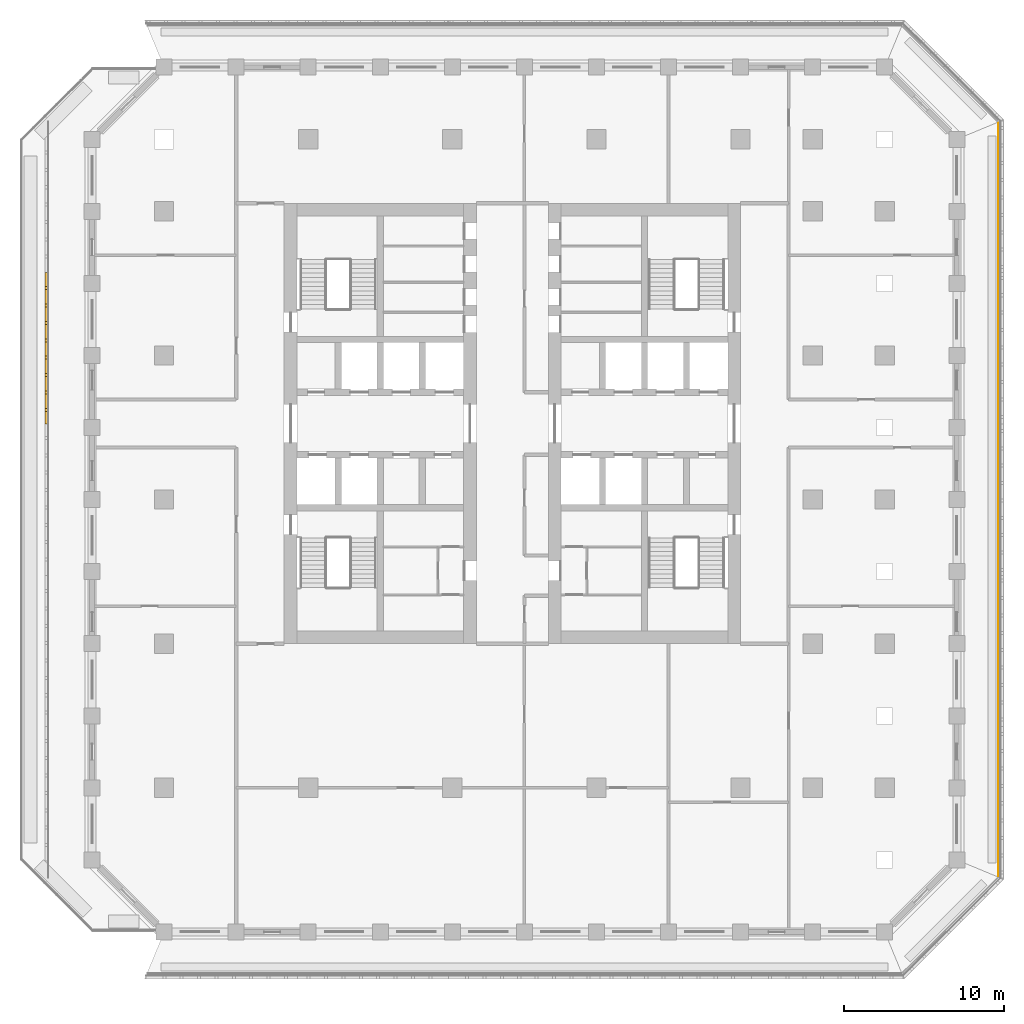
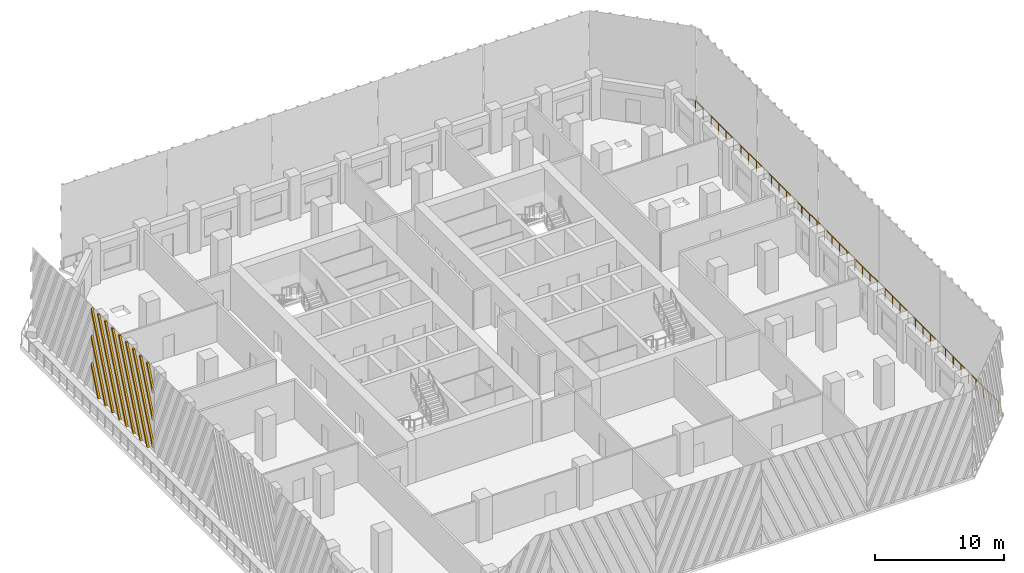
# One storey, part 12 of 16: 1 railing, 1 shading device.
"""IFC4 building model written with IfcOpenShell, lengths in metres."""

from ifc_helpers import new_model, si_unit, direction, frame, origin, origin_2d, place, context, subcontext, project, spatial, polyline, circle, outline, extrude, source, transform, mapped, material, type_object, element, save


model = new_model("IFC4")

# Units and contexts
model_context = context("Model", 3, precision=1e-05, world=origin(), true_north=direction((0.0, 1.0)))
body_context = subcontext(model_context, "Body", "Model", "MODEL_VIEW")
ifc_project = project(units=[si_unit("LENGTHUNIT", "METRE"), si_unit("AREAUNIT", "SQUARE_METRE"), si_unit("VOLUMEUNIT", "CUBIC_METRE"), si_unit("PLANEANGLEUNIT", "RADIAN"), si_unit("MASSUNIT", "GRAM", prefix="KILO")], contexts=[model_context])

# Site, building, storey
site_placement = place(None, origin())
site = spatial("IfcSite", under=ifc_project, at=site_placement, CompositionType="ELEMENT")
building_placement = place(site_placement, origin())
building = spatial("IfcBuilding", under=site, at=building_placement, Name="Corbel Stack Research Tower", CompositionType="ELEMENT")
storey_placement = place(building_placement, frame((0.0, 0.0, 191.5)))
storey = spatial("IfcBuildingStorey", under=building, at=storey_placement, Name="L43", CompositionType="ELEMENT", Elevation=191.5)

# Railing
ifc_material_1 = material(Name="Powder-coated steel guard", Category="steel")
railing_type = type_object("IfcRailingType", Name="Steel and glass guard 1100", PredefinedType="GUARDRAIL", material=ifc_material_1)
railing_placement = place(storey_placement, frame((34.10009765625, -23.50537109375, 0.0)))
element("IfcRailing", 1, at=railing_placement, inside=storey, type_object=railing_type, Name="Loggia guard L43 E", PredefinedType="GUARDRAIL", context=body_context, shape_type="SweptSolid", body=[
    extrude(circle(Radius=0.02392578125, at=origin_2d()), frame((0.0, 0.0, 1.076171875), z_axis=(0.0, 1.0, 0.0), x_axis=(-1.0, 0.0, 0.0)), (0.0, 0.0, 1.0), 47.0107421875),
    extrude(circle(Radius=0.02099609375, at=origin_2d()), origin(), (0.0, 0.0, 1.0), 1.052001953125),
    extrude(circle(Radius=0.02099609375, at=origin_2d()), frame((0.0, 1.17529296875, 0.0)), (0.0, 0.0, 1.0), 1.052001953125),
    extrude(circle(Radius=0.02099609375, at=origin_2d()), frame((0.0, 2.3505859375, 0.0)), (0.0, 0.0, 1.0), 1.052001953125),
    extrude(circle(Radius=0.02099609375, at=origin_2d()), frame((0.0, 3.52587890625, 0.0)), (0.0, 0.0, 1.0), 1.052001953125),
    extrude(circle(Radius=0.02099609375, at=origin_2d()), frame((0.0, 4.701171875, 0.0)), (0.0, 0.0, 1.0), 1.052001953125),
    extrude(circle(Radius=0.02099609375, at=origin_2d()), frame((0.0, 5.87646484375, 0.0)), (0.0, 0.0, 1.0), 1.052001953125),
    extrude(circle(Radius=0.02099609375, at=origin_2d()), frame((0.0, 7.051513671875, 0.0)), (0.0, 0.0, 1.0), 1.052001953125),
    extrude(circle(Radius=0.02099609375, at=origin_2d()), frame((0.0, 8.226806640625, 0.0)), (0.0, 0.0, 1.0), 1.052001953125),
    extrude(circle(Radius=0.02099609375, at=origin_2d()), frame((0.0, 9.402099609375, 0.0)), (0.0, 0.0, 1.0), 1.052001953125),
    extrude(circle(Radius=0.02099609375, at=origin_2d()), frame((0.0, 10.577392578125, 0.0)), (0.0, 0.0, 1.0), 1.052001953125),
    extrude(circle(Radius=0.02099609375, at=origin_2d()), frame((0.0, 11.752685546875, 0.0)), (0.0, 0.0, 1.0), 1.052001953125),
    extrude(circle(Radius=0.02099609375, at=origin_2d()), frame((0.0, 12.927978515625, 0.0)), (0.0, 0.0, 1.0), 1.052001953125),
    extrude(circle(Radius=0.02099609375, at=origin_2d()), frame((0.0, 14.103271484375, 0.0)), (0.0, 0.0, 1.0), 1.052001953125),
    extrude(circle(Radius=0.02099609375, at=origin_2d()), frame((0.0, 15.278564453125, 0.0)), (0.0, 0.0, 1.0), 1.052001953125),
    extrude(circle(Radius=0.02099609375, at=origin_2d()), frame((0.0, 16.453857421875, 0.0)), (0.0, 0.0, 1.0), 1.052001953125),
    extrude(circle(Radius=0.02099609375, at=origin_2d()), frame((0.0, 17.62890625, 0.0)), (0.0, 0.0, 1.0), 1.052001953125),
    extrude(circle(Radius=0.02099609375, at=origin_2d()), frame((0.0, 18.80419921875, 0.0)), (0.0, 0.0, 1.0), 1.052001953125),
    extrude(circle(Radius=0.02099609375, at=origin_2d()), frame((0.0, 19.9794921875, 0.0)), (0.0, 0.0, 1.0), 1.052001953125),
    extrude(circle(Radius=0.02099609375, at=origin_2d()), frame((0.0, 21.15478515625, 0.0)), (0.0, 0.0, 1.0), 1.052001953125),
    extrude(circle(Radius=0.02099609375, at=origin_2d()), frame((0.0, 22.330078125, 0.0)), (0.0, 0.0, 1.0), 1.052001953125),
    extrude(circle(Radius=0.02099609375, at=origin_2d()), frame((0.0, 23.50537109375, 0.0)), (0.0, 0.0, 1.0), 1.052001953125),
    extrude(circle(Radius=0.02099609375, at=origin_2d()), frame((0.0, 24.6806640625, 0.0)), (0.0, 0.0, 1.0), 1.052001953125),
    extrude(circle(Radius=0.02099609375, at=origin_2d()), frame((0.0, 25.85595703125, 0.0)), (0.0, 0.0, 1.0), 1.052001953125),
    extrude(circle(Radius=0.02099609375, at=origin_2d()), frame((0.0, 27.03125, 0.0)), (0.0, 0.0, 1.0), 1.052001953125),
    extrude(circle(Radius=0.02099609375, at=origin_2d()), frame((0.0, 28.20654296875, 0.0)), (0.0, 0.0, 1.0), 1.052001953125),
    extrude(circle(Radius=0.02099609375, at=origin_2d()), frame((0.0, 29.3818359375, 0.0)), (0.0, 0.0, 1.0), 1.052001953125),
    extrude(circle(Radius=0.02099609375, at=origin_2d()), frame((0.0, 30.556884765625, 0.0)), (0.0, 0.0, 1.0), 1.052001953125),
    extrude(circle(Radius=0.02099609375, at=origin_2d()), frame((0.0, 31.732177734375, 0.0)), (0.0, 0.0, 1.0), 1.052001953125),
    extrude(circle(Radius=0.02099609375, at=origin_2d()), frame((0.0, 32.907470703125, 0.0)), (0.0, 0.0, 1.0), 1.052001953125),
    extrude(circle(Radius=0.02099609375, at=origin_2d()), frame((0.0, 34.082763671875, 0.0)), (0.0, 0.0, 1.0), 1.052001953125),
    extrude(circle(Radius=0.02099609375, at=origin_2d()), frame((0.0, 35.258056640625, 0.0)), (0.0, 0.0, 1.0), 1.052001953125),
    extrude(circle(Radius=0.02099609375, at=origin_2d()), frame((0.0, 36.433349609375, 0.0)), (0.0, 0.0, 1.0), 1.052001953125),
    extrude(circle(Radius=0.02099609375, at=origin_2d()), frame((0.0, 37.608642578125, 0.0)), (0.0, 0.0, 1.0), 1.052001953125),
    extrude(circle(Radius=0.02099609375, at=origin_2d()), frame((0.0, 38.783935546875, 0.0)), (0.0, 0.0, 1.0), 1.052001953125),
    extrude(circle(Radius=0.02099609375, at=origin_2d()), frame((0.0, 39.959228515625, 0.0)), (0.0, 0.0, 1.0), 1.052001953125),
    extrude(circle(Radius=0.02099609375, at=origin_2d()), frame((0.0, 41.13427734375, 0.0)), (0.0, 0.0, 1.0), 1.052001953125),
    extrude(circle(Radius=0.02099609375, at=origin_2d()), frame((0.0, 42.3095703125, 0.0)), (0.0, 0.0, 1.0), 1.052001953125),
    extrude(circle(Radius=0.02099609375, at=origin_2d()), frame((0.0, 43.48486328125, 0.0)), (0.0, 0.0, 1.0), 1.052001953125),
    extrude(circle(Radius=0.02099609375, at=origin_2d()), frame((0.0, 44.66015625, 0.0)), (0.0, 0.0, 1.0), 1.052001953125),
    extrude(circle(Radius=0.02099609375, at=origin_2d()), frame((0.0, 45.83544921875, 0.0)), (0.0, 0.0, 1.0), 1.052001953125),
    extrude(circle(Radius=0.02099609375, at=origin_2d()), frame((0.0, 47.0107421875, 0.0)), (0.0, 0.0, 1.0), 1.052001953125),
])

# Shading device
ifc_material_2 = material(Name="Precast terracotta", Category="masonry")
shading_device_type = type_object("IfcShadingDeviceType", Name="Terracotta screen panel", PredefinedType="USERDEFINED", material=ifc_material_2)
shared_shape = source(origin(), body_context, "Body", "SweptSolid", [
    extrude(outline(polyline([(1.14453125, 0.0), (0.0, 2.740478515625), (0.0, 2.285400390625), (0.95458984375, 0.0), (1.14453125, 0.0)])), frame((0.0, 0.0, 0.0), z_axis=(0.0, -1.0, 0.0), x_axis=(1.0, 0.0, 0.0)), (0.0, 0.0, 1.0), 0.179931640625),
    extrude(outline(polyline([(2.22900390625, 0.0), (0.0, 5.337646484375), (0.0, 4.882568359375), (2.0390625, 0.0), (2.22900390625, 0.0)])), frame((0.0, 0.0, 0.0), z_axis=(0.0, -1.0, 0.0), x_axis=(1.0, 0.0, 0.0)), (0.0, 0.0, 1.0), 0.179931640625),
    extrude(outline(polyline([(3.313720703125, 0.0), (0.0, 7.934814453125), (0.0, 7.479736328125), (3.123779296875, 0.0), (3.313720703125, 0.0)])), frame((0.0, 0.0, 0.0), z_axis=(0.0, -1.0, 0.0), x_axis=(1.0, 0.0, 0.0)), (0.0, 0.0, 1.0), 0.179931640625),
    extrude(outline(polyline([(4.3984375, 0.0), (1.078369140625, 7.949951171875), (0.88818359375, 7.949951171875), (4.20849609375, 0.0), (4.3984375, 0.0)])), frame((0.0, 0.0, 0.0), z_axis=(0.0, -1.0, 0.0), x_axis=(1.0, 0.0, 0.0)), (0.0, 0.0, 1.0), 0.179931640625),
    extrude(outline(polyline([(5.483154296875, 0.0), (2.1630859375, 7.949951171875), (1.972900390625, 7.949951171875), (5.293212890625, 0.0), (5.483154296875, 0.0)])), frame((0.0, 0.0, 0.0), z_axis=(0.0, -1.0, 0.0), x_axis=(1.0, 0.0, 0.0)), (0.0, 0.0, 1.0), 0.179931640625),
    extrude(outline(polyline([(6.56787109375, 0.0), (3.24755859375, 7.949951171875), (3.0576171875, 7.949951171875), (6.377685546875, 0.0), (6.56787109375, 0.0)])), frame((0.0, 0.0, 0.0), z_axis=(0.0, -1.0, 0.0), x_axis=(1.0, 0.0, 0.0)), (0.0, 0.0, 1.0), 0.179931640625),
    extrude(outline(polyline([(7.652587890625, 0.0), (4.332275390625, 7.949951171875), (4.142333984375, 7.949951171875), (7.46240234375, 0.0), (7.652587890625, 0.0)])), frame((0.0, 0.0, 0.0), z_axis=(0.0, -1.0, 0.0), x_axis=(1.0, 0.0, 0.0)), (0.0, 0.0, 1.0), 0.179931640625),
    extrude(outline(polyline([(8.737060546875, 0.0), (5.4169921875, 7.949951171875), (5.22705078125, 7.949951171875), (8.547119140625, 0.0), (8.737060546875, 0.0)])), frame((0.0, 0.0, 0.0), z_axis=(0.0, -1.0, 0.0), x_axis=(1.0, 0.0, 0.0)), (0.0, 0.0, 1.0), 0.179931640625),
    extrude(outline(polyline([(6.501708984375, 7.949951171875), (6.3115234375, 7.949951171875), (9.45556640625, 0.421875), (9.45556640625, 0.876708984375), (6.501708984375, 7.949951171875)])), frame((0.0, 0.0, 0.0), z_axis=(0.0, -1.0, 0.0), x_axis=(1.0, 0.0, 0.0)), (0.0, 0.0, 1.0), 0.179931640625),
    extrude(outline(polyline([(7.586181640625, 7.949951171875), (7.396240234375, 7.949951171875), (9.45556640625, 3.01904296875), (9.45556640625, 3.473876953125), (7.586181640625, 7.949951171875)])), frame((0.0, 0.0, 0.0), z_axis=(0.0, -1.0, 0.0), x_axis=(1.0, 0.0, 0.0)), (0.0, 0.0, 1.0), 0.179931640625),
    extrude(outline(polyline([(8.6708984375, 7.949951171875), (8.48095703125, 7.949951171875), (9.45556640625, 5.6162109375), (9.45556640625, 6.071044921875), (8.6708984375, 7.949951171875)])), frame((0.0, 0.0, 0.0), z_axis=(0.0, -1.0, 0.0), x_axis=(1.0, 0.0, 0.0)), (0.0, 0.0, 1.0), 0.179931640625),
])
shading_device_placement = place(storey_placement, frame((-25.25, 14.18359375, 0.0), z_axis=(0.0, 0.0, 1.0), x_axis=(0.0, -1.0, 0.0)))
element("IfcShadingDevice", 2, at=shading_device_placement, inside=storey, type_object=shading_device_type, Name="Terracotta screen L43 W2", ObjectType="SCREEN", PredefinedType="USERDEFINED", context=body_context, shape_type="MappedRepresentation", body=[
    mapped(shared_shape, transform((0.0, 0.0, 0.0))),
])

save(model, "model.ifc")
